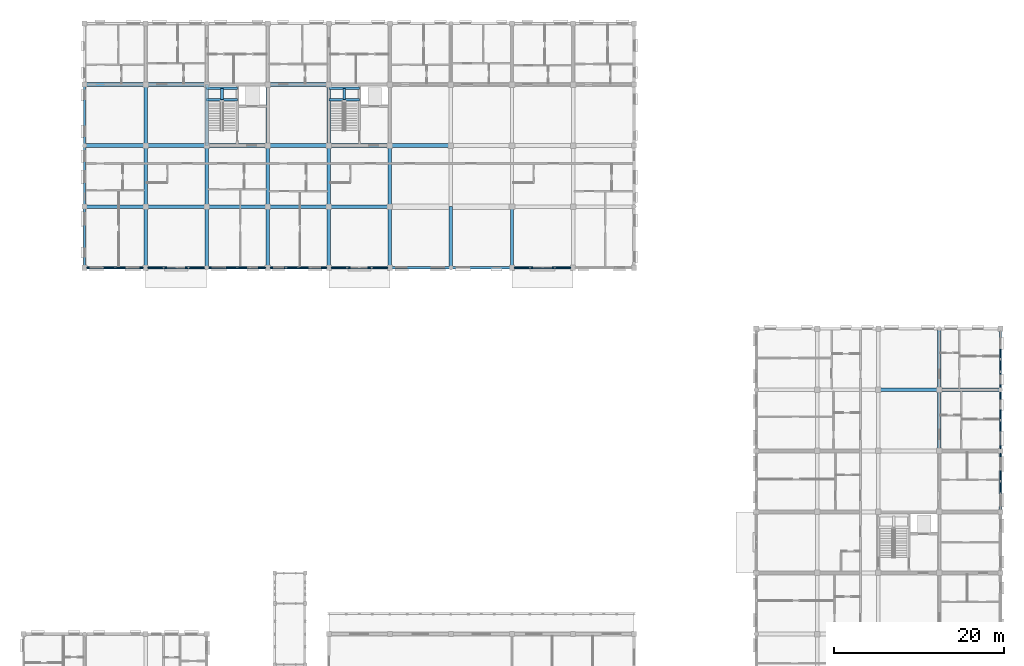
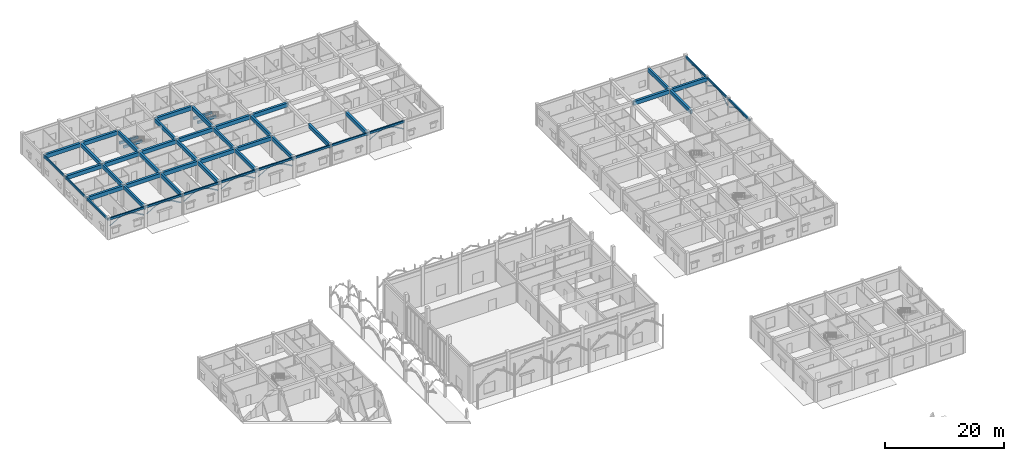
# One storey, part 28 of 138: 54 beams, 34 members.
"""IFC4 building model written with IfcOpenShell, lengths in metres."""

from ifc_helpers import new_model, si_unit, direction, frame, origin, origin_2d, place, context, subcontext, project, spatial, rectangle, hollow_rectangle, extrude, material, material_profile, profile_set, type_object, element, save


model = new_model("IFC4")

# Units and contexts
model_context = context("Model", 3, precision=1e-05, world=origin(), true_north=direction((0.0, 1.0)))
body_context = subcontext(model_context, "Body", "Model", "MODEL_VIEW")
ifc_project = project(units=[si_unit("LENGTHUNIT", "METRE"), si_unit("AREAUNIT", "SQUARE_METRE"), si_unit("VOLUMEUNIT", "CUBIC_METRE"), si_unit("PLANEANGLEUNIT", "RADIAN"), si_unit("MASSUNIT", "GRAM", prefix="KILO"), si_unit("THERMODYNAMICTEMPERATUREUNIT", "KELVIN"), si_unit("POWERUNIT", "WATT")], contexts=[model_context])

# Site, building, storey
site_placement = place(None, origin())
site = spatial("IfcSite", under=ifc_project, at=site_placement, CompositionType="ELEMENT")
building_placement = place(site_placement, origin())
building = spatial("IfcBuilding", under=site, at=building_placement, Name="Tavuni Mirador Residences", CompositionType="ELEMENT")
storey_placement = place(building_placement, origin())
storey = spatial("IfcBuildingStorey", under=building, at=storey_placement, Name="L00", CompositionType="ELEMENT", Elevation=0.0)

# Beams
ifc_material_1 = material(Name="Precast concrete C40/50", Category="concrete")
ifc_material_profile_1 = material_profile(ifc_material_1, rectangle(XDim=0.300048828125, YDim=0.5, at=origin_2d()), Name="PC 300x500", Category="concrete")
ifc_profile_set_1 = profile_set([ifc_material_profile_1], Name="Precast concrete C40/50")
beam_type_1 = type_object("IfcBeamType", Name="BT-B500", PredefinedType="BEAM", material=ifc_profile_set_1)
for number, where, z_axis, x_axis, name in (
    (1, (25.199951171875, 163.820068359375, 1.820068359375), (1.0, 0.0, 0.0), (0.0, 1.0, 0.0), "HLB1-C5-L00"),
    (2, (25.199951171875, 165.14990234375, 1.820068359375), (1.0, 0.0, 0.0), (0.0, 1.0, 0.0), "HLB2-C5-L00"),
):
    element("IfcBeam", number, at=place(storey_placement, frame(where, z_axis=z_axis, x_axis=x_axis)), inside=storey, type_object=beam_type_1, Name=name, PredefinedType="BEAM", context=body_context, shape_type="SweptSolid", body=[
        extrude(rectangle(XDim=0.300048828125, YDim=0.5, at=origin_2d()), origin(), (0.0, 0.0, 1.0), 3.60009765625),
    ])
beam_1_placement = place(storey_placement, frame((27.0, 163.820068359375, 1.820068359375), z_axis=(0.0, 1.0, 0.0), x_axis=(-1.0, 0.0, 0.0)))
element("IfcBeam", 3, at=beam_1_placement, inside=storey, type_object=beam_type_1, Name="HLB3-C5-L00", PredefinedType="BEAM", context=body_context, shape_type="SweptSolid", body=[
    extrude(rectangle(XDim=0.300048828125, YDim=0.5, at=origin_2d()), origin(), (0.0, 0.0, 1.0), 1.329833984375),
])
for number, where, z_axis, x_axis, name in (
    (4, (39.60009765625, 163.820068359375, 1.820068359375), (1.0, 0.0, 0.0), (0.0, 1.0, 0.0), "HLB1-C6-L00"),
    (5, (39.60009765625, 165.14990234375, 1.820068359375), (1.0, 0.0, 0.0), (0.0, 1.0, 0.0), "HLB2-C6-L00"),
):
    element("IfcBeam", number, at=place(storey_placement, frame(where, z_axis=z_axis, x_axis=x_axis)), inside=storey, type_object=beam_type_1, Name=name, PredefinedType="BEAM", context=body_context, shape_type="SweptSolid", body=[
        extrude(rectangle(XDim=0.300048828125, YDim=0.5, at=origin_2d()), origin(), (0.0, 0.0, 1.0), 3.599853515625),
    ])
beam_2_placement = place(storey_placement, frame((41.39990234375, 163.820068359375, 1.820068359375), z_axis=(0.0, 1.0, 0.0), x_axis=(-1.0, 0.0, 0.0)))
element("IfcBeam", 6, at=beam_2_placement, inside=storey, type_object=beam_type_1, Name="HLB3-C6-L00", PredefinedType="BEAM", context=body_context, shape_type="SweptSolid", body=[
    extrude(rectangle(XDim=0.300048828125, YDim=0.5, at=origin_2d()), origin(), (0.0, 0.0, 1.0), 1.329833984375),
])
ifc_material_profile_2 = material_profile(ifc_material_1, rectangle(XDim=0.39990234375, YDim=0.75, at=origin_2d()), Name="RC 400x750", Category="concrete")
ifc_profile_set_2 = profile_set([ifc_material_profile_2], Name="Precast concrete C40/50")
beam_type_2 = type_object("IfcBeamType", Name="BT-G750", PredefinedType="USERDEFINED", material=ifc_profile_set_2)
for number, where, z_axis, x_axis, name in (
    (7, (18.0, 144.0, 3.860107421875), (0.0, 1.0, 0.0), (-1.0, 0.0, 0.0), "BMY-BLK-C-L00-01-00"),
    (8, (18.0, 151.199951171875, 3.860107421875), (0.0, 1.0, 0.0), (-1.0, 0.0, 0.0), "BMY-BLK-C-L00-01-01"),
):
    element("IfcBeam", number, at=place(storey_placement, frame(where, z_axis=z_axis, x_axis=x_axis)), inside=storey, type_object=beam_type_2, Name=name, ObjectType="GIRDER", PredefinedType="USERDEFINED", context=body_context, shape_type="SweptSolid", body=[
        extrude(rectangle(XDim=0.39990234375, YDim=0.75, at=origin_2d()), origin(), (0.0, 0.0, 1.0), 7.199951171875),
    ])
beam_3_placement = place(storey_placement, frame((18.0, 158.39990234375, 3.860107421875), z_axis=(0.0, 1.0, 0.0), x_axis=(-1.0, 0.0, 0.0)))
element("IfcBeam", 9, at=beam_3_placement, inside=storey, type_object=beam_type_2, Name="BMY-BLK-C-L00-01-02", ObjectType="GIRDER", PredefinedType="USERDEFINED", context=body_context, shape_type="SweptSolid", body=[
    extrude(rectangle(XDim=0.39990234375, YDim=0.75, at=origin_2d()), origin(), (0.0, 0.0, 1.0), 7.2001953125),
])
for number, where, z_axis, x_axis, name in (
    (10, (25.199951171875, 144.0, 3.860107421875), (0.0, 1.0, 0.0), (-1.0, 0.0, 0.0), "BMY-BLK-C-L00-02-00"),
    (11, (25.199951171875, 151.199951171875, 3.860107421875), (0.0, 1.0, 0.0), (-1.0, 0.0, 0.0), "BMY-BLK-C-L00-02-01"),
):
    element("IfcBeam", number, at=place(storey_placement, frame(where, z_axis=z_axis, x_axis=x_axis)), inside=storey, type_object=beam_type_2, Name=name, ObjectType="GIRDER", PredefinedType="USERDEFINED", context=body_context, shape_type="SweptSolid", body=[
        extrude(rectangle(XDim=0.39990234375, YDim=0.75, at=origin_2d()), origin(), (0.0, 0.0, 1.0), 7.199951171875),
    ])
beam_4_placement = place(storey_placement, frame((25.199951171875, 158.39990234375, 3.860107421875), z_axis=(0.0, 1.0, 0.0), x_axis=(-1.0, 0.0, 0.0)))
element("IfcBeam", 12, at=beam_4_placement, inside=storey, type_object=beam_type_2, Name="BMY-BLK-C-L00-02-02", ObjectType="GIRDER", PredefinedType="USERDEFINED", context=body_context, shape_type="SweptSolid", body=[
    extrude(rectangle(XDim=0.39990234375, YDim=0.75, at=origin_2d()), origin(), (0.0, 0.0, 1.0), 7.2001953125),
])
for number, where, z_axis, x_axis, name in (
    (13, (32.39990234375, 144.0, 3.860107421875), (0.0, 1.0, 0.0), (-1.0, 0.0, 0.0), "BMY-BLK-C-L00-03-00"),
    (14, (32.39990234375, 151.199951171875, 3.860107421875), (0.0, 1.0, 0.0), (-1.0, 0.0, 0.0), "BMY-BLK-C-L00-03-01"),
):
    element("IfcBeam", number, at=place(storey_placement, frame(where, z_axis=z_axis, x_axis=x_axis)), inside=storey, type_object=beam_type_2, Name=name, ObjectType="GIRDER", PredefinedType="USERDEFINED", context=body_context, shape_type="SweptSolid", body=[
        extrude(rectangle(XDim=0.39990234375, YDim=0.75, at=origin_2d()), origin(), (0.0, 0.0, 1.0), 7.199951171875),
    ])
beam_5_placement = place(storey_placement, frame((32.39990234375, 158.39990234375, 3.860107421875), z_axis=(0.0, 1.0, 0.0), x_axis=(-1.0, 0.0, 0.0)))
element("IfcBeam", 15, at=beam_5_placement, inside=storey, type_object=beam_type_2, Name="BMY-BLK-C-L00-03-02", ObjectType="GIRDER", PredefinedType="USERDEFINED", context=body_context, shape_type="SweptSolid", body=[
    extrude(rectangle(XDim=0.39990234375, YDim=0.75, at=origin_2d()), origin(), (0.0, 0.0, 1.0), 7.2001953125),
])
for number, where, z_axis, x_axis, name in (
    (16, (39.60009765625, 144.0, 3.860107421875), (0.0, 1.0, 0.0), (-1.0, 0.0, 0.0), "BMY-BLK-C-L00-04-00"),
    (17, (39.60009765625, 151.199951171875, 3.860107421875), (0.0, 1.0, 0.0), (-1.0, 0.0, 0.0), "BMY-BLK-C-L00-04-01"),
):
    element("IfcBeam", number, at=place(storey_placement, frame(where, z_axis=z_axis, x_axis=x_axis)), inside=storey, type_object=beam_type_2, Name=name, ObjectType="GIRDER", PredefinedType="USERDEFINED", context=body_context, shape_type="SweptSolid", body=[
        extrude(rectangle(XDim=0.39990234375, YDim=0.75, at=origin_2d()), origin(), (0.0, 0.0, 1.0), 7.199951171875),
    ])
beam_6_placement = place(storey_placement, frame((39.60009765625, 158.39990234375, 3.860107421875), z_axis=(0.0, 1.0, 0.0), x_axis=(-1.0, 0.0, 0.0)))
element("IfcBeam", 18, at=beam_6_placement, inside=storey, type_object=beam_type_2, Name="BMY-BLK-C-L00-04-02", ObjectType="GIRDER", PredefinedType="USERDEFINED", context=body_context, shape_type="SweptSolid", body=[
    extrude(rectangle(XDim=0.39990234375, YDim=0.75, at=origin_2d()), origin(), (0.0, 0.0, 1.0), 7.2001953125),
])
for number, where, z_axis, x_axis, name in (
    (19, (46.800048828125, 144.0, 3.860107421875), (0.0, 1.0, 0.0), (-1.0, 0.0, 0.0), "BMY-BLK-C-L00-05-00"),
    (20, (46.800048828125, 151.199951171875, 3.860107421875), (0.0, 1.0, 0.0), (-1.0, 0.0, 0.0), "BMY-BLK-C-L00-05-01"),
    (21, (54.0, 144.0, 3.860107421875), (0.0, 1.0, 0.0), (-1.0, 0.0, 0.0), "BMY-BLK-C-L00-06-00"),
    (22, (61.199951171875, 144.0, 3.860107421875), (0.0, 1.0, 0.0), (-1.0, 0.0, 0.0), "BMY-BLK-C-L00-07-00"),
):
    element("IfcBeam", number, at=place(storey_placement, frame(where, z_axis=z_axis, x_axis=x_axis)), inside=storey, type_object=beam_type_2, Name=name, ObjectType="GIRDER", PredefinedType="USERDEFINED", context=body_context, shape_type="SweptSolid", body=[
        extrude(rectangle(XDim=0.39990234375, YDim=0.75, at=origin_2d()), origin(), (0.0, 0.0, 1.0), 7.199951171875),
    ])
beam_7_placement = place(storey_placement, frame((111.60009765625, 122.39990234375, 3.864990234375), z_axis=(0.0, 1.0, 0.0), x_axis=(-1.0, 0.0, 0.0)))
element("IfcBeam", 23, at=beam_7_placement, inside=storey, type_object=beam_type_2, Name="BMY-BLK-D-L00-03-05", ObjectType="GIRDER", PredefinedType="USERDEFINED", context=body_context, shape_type="SweptSolid", body=[
    extrude(rectangle(XDim=0.39990234375, YDim=0.75, at=origin_2d()), origin(), (0.0, 0.0, 1.0), 7.2001953125),
])
beam_8_placement = place(storey_placement, frame((111.60009765625, 129.60009765625, 3.864990234375), z_axis=(0.0, 1.0, 0.0), x_axis=(-1.0, 0.0, 0.0)))
element("IfcBeam", 24, at=beam_8_placement, inside=storey, type_object=beam_type_2, Name="BMY-BLK-D-L00-03-06", ObjectType="GIRDER", PredefinedType="USERDEFINED", context=body_context, shape_type="SweptSolid", body=[
    extrude(rectangle(XDim=0.39990234375, YDim=0.75, at=origin_2d()), origin(), (0.0, 0.0, 1.0), 7.199951171875),
])
ifc_material_profile_3 = material_profile(ifc_material_1, rectangle(XDim=0.449951171875, YDim=0.800048828125, at=origin_2d()), Name="RC 450x800", Category="concrete")
ifc_profile_set_3 = profile_set([ifc_material_profile_3], Name="Precast concrete C40/50")
beam_type_3 = type_object("IfcBeamType", Name="BT-G800", PredefinedType="USERDEFINED", material=ifc_profile_set_3)
for number, where, z_axis, x_axis, name in (
    (25, (10.800048828125, 151.199951171875, 3.8349609375), (1.0, 0.0, 0.0), (0.0, 1.0, 0.0), "BMX-BLK-C-L00-00-01"),
    (26, (18.0, 151.199951171875, 3.8349609375), (1.0, 0.0, 0.0), (0.0, 1.0, 0.0), "BMX-BLK-C-L00-01-01"),
    (27, (25.199951171875, 151.199951171875, 3.8349609375), (1.0, 0.0, 0.0), (0.0, 1.0, 0.0), "BMX-BLK-C-L00-02-01"),
):
    element("IfcBeam", number, at=place(storey_placement, frame(where, z_axis=z_axis, x_axis=x_axis)), inside=storey, type_object=beam_type_3, Name=name, ObjectType="GIRDER", PredefinedType="USERDEFINED", context=body_context, shape_type="SweptSolid", body=[
        extrude(rectangle(XDim=0.449951171875, YDim=0.800048828125, at=origin_2d()), origin(), (0.0, 0.0, 1.0), 7.199951171875),
    ])
beam_9_placement = place(storey_placement, frame((32.39990234375, 151.199951171875, 3.8349609375), z_axis=(1.0, 0.0, 0.0), x_axis=(0.0, 1.0, 0.0)))
element("IfcBeam", 28, at=beam_9_placement, inside=storey, type_object=beam_type_3, Name="BMX-BLK-C-L00-03-01", ObjectType="GIRDER", PredefinedType="USERDEFINED", context=body_context, shape_type="SweptSolid", body=[
    extrude(rectangle(XDim=0.449951171875, YDim=0.800048828125, at=origin_2d()), origin(), (0.0, 0.0, 1.0), 7.2001953125),
])
for number, where, z_axis, x_axis, name in (
    (29, (39.60009765625, 151.199951171875, 3.8349609375), (1.0, 0.0, 0.0), (0.0, 1.0, 0.0), "BMX-BLK-C-L00-04-01"),
    (30, (10.800048828125, 158.39990234375, 3.8349609375), (1.0, 0.0, 0.0), (0.0, 1.0, 0.0), "BMX-BLK-C-L00-00-02"),
    (31, (18.0, 158.39990234375, 3.8349609375), (1.0, 0.0, 0.0), (0.0, 1.0, 0.0), "BMX-BLK-C-L00-01-02"),
    (32, (25.199951171875, 158.39990234375, 3.8349609375), (1.0, 0.0, 0.0), (0.0, 1.0, 0.0), "BMX-BLK-C-L00-02-02"),
):
    element("IfcBeam", number, at=place(storey_placement, frame(where, z_axis=z_axis, x_axis=x_axis)), inside=storey, type_object=beam_type_3, Name=name, ObjectType="GIRDER", PredefinedType="USERDEFINED", context=body_context, shape_type="SweptSolid", body=[
        extrude(rectangle(XDim=0.449951171875, YDim=0.800048828125, at=origin_2d()), origin(), (0.0, 0.0, 1.0), 7.199951171875),
    ])
beam_10_placement = place(storey_placement, frame((32.39990234375, 158.39990234375, 3.8349609375), z_axis=(1.0, 0.0, 0.0), x_axis=(0.0, 1.0, 0.0)))
element("IfcBeam", 33, at=beam_10_placement, inside=storey, type_object=beam_type_3, Name="BMX-BLK-C-L00-03-02", ObjectType="GIRDER", PredefinedType="USERDEFINED", context=body_context, shape_type="SweptSolid", body=[
    extrude(rectangle(XDim=0.449951171875, YDim=0.800048828125, at=origin_2d()), origin(), (0.0, 0.0, 1.0), 7.2001953125),
])
for number, where, z_axis, x_axis, name in (
    (34, (39.60009765625, 158.39990234375, 3.8349609375), (1.0, 0.0, 0.0), (0.0, 1.0, 0.0), "BMX-BLK-C-L00-04-02"),
    (35, (46.800048828125, 158.39990234375, 3.8349609375), (1.0, 0.0, 0.0), (0.0, 1.0, 0.0), "BMX-BLK-C-L00-05-02"),
    (36, (10.800048828125, 165.60009765625, 3.8349609375), (1.0, 0.0, 0.0), (0.0, 1.0, 0.0), "BMX-BLK-C-L00-00-03"),
    (37, (18.0, 165.60009765625, 3.8349609375), (1.0, 0.0, 0.0), (0.0, 1.0, 0.0), "BMX-BLK-C-L00-01-03"),
):
    element("IfcBeam", number, at=place(storey_placement, frame(where, z_axis=z_axis, x_axis=x_axis)), inside=storey, type_object=beam_type_3, Name=name, ObjectType="GIRDER", PredefinedType="USERDEFINED", context=body_context, shape_type="SweptSolid", body=[
        extrude(rectangle(XDim=0.449951171875, YDim=0.800048828125, at=origin_2d()), origin(), (0.0, 0.0, 1.0), 7.199951171875),
    ])
for number, where, z_axis, x_axis, name in (
    (38, (32.39990234375, 165.60009765625, 3.8349609375), (1.0, 0.0, 0.0), (0.0, 1.0, 0.0), "BMX-BLK-C-L00-03-03"),
    (39, (104.39990234375, 129.60009765625, 3.840087890625), (1.0, 0.0, 0.0), (0.0, 1.0, 0.0), "BMX-BLK-D-L00-02-06"),
):
    element("IfcBeam", number, at=place(storey_placement, frame(where, z_axis=z_axis, x_axis=x_axis)), inside=storey, type_object=beam_type_3, Name=name, ObjectType="GIRDER", PredefinedType="USERDEFINED", context=body_context, shape_type="SweptSolid", body=[
        extrude(rectangle(XDim=0.449951171875, YDim=0.800048828125, at=origin_2d()), origin(), (0.0, 0.0, 1.0), 7.2001953125),
    ])
beam_11_placement = place(storey_placement, frame((111.60009765625, 129.60009765625, 3.840087890625), z_axis=(1.0, 0.0, 0.0), x_axis=(0.0, 1.0, 0.0)))
element("IfcBeam", 40, at=beam_11_placement, inside=storey, type_object=beam_type_3, Name="BMX-BLK-D-L00-03-06", ObjectType="GIRDER", PredefinedType="USERDEFINED", context=body_context, shape_type="SweptSolid", body=[
    extrude(rectangle(XDim=0.449951171875, YDim=0.800048828125, at=origin_2d()), origin(), (0.0, 0.0, 1.0), 7.199951171875),
])
ifc_material_profile_4 = material_profile(ifc_material_1, rectangle(XDim=0.25, YDim=0.419921875, at=origin_2d()), Name="PC 250x420", Category="concrete")
ifc_profile_set_4 = profile_set([ifc_material_profile_4], Name="Precast concrete C40/50")
beam_type_4 = type_object("IfcBeamType", Name="BT-SP420", PredefinedType="SPANDREL", material=ifc_profile_set_4)
for number, where, z_axis, x_axis, name in (
    (41, (10.800048828125, 144.0, 4.02490234375), (1.0, 0.0, 0.0), (0.0, 1.0, 0.0), "BMX-BLK-C-L00-00-00"),
    (42, (18.0, 144.0, 4.02490234375), (1.0, 0.0, 0.0), (0.0, 1.0, 0.0), "BMX-BLK-C-L00-01-00"),
    (43, (25.199951171875, 144.0, 4.02490234375), (1.0, 0.0, 0.0), (0.0, 1.0, 0.0), "BMX-BLK-C-L00-02-00"),
):
    element("IfcBeam", number, at=place(storey_placement, frame(where, z_axis=z_axis, x_axis=x_axis)), inside=storey, type_object=beam_type_4, Name=name, PredefinedType="SPANDREL", context=body_context, shape_type="SweptSolid", body=[
        extrude(rectangle(XDim=0.25, YDim=0.419921875, at=origin_2d()), origin(), (0.0, 0.0, 1.0), 7.199951171875),
    ])
beam_12_placement = place(storey_placement, frame((32.39990234375, 144.0, 4.02490234375), z_axis=(1.0, 0.0, 0.0), x_axis=(0.0, 1.0, 0.0)))
element("IfcBeam", 44, at=beam_12_placement, inside=storey, type_object=beam_type_4, Name="BMX-BLK-C-L00-03-00", PredefinedType="SPANDREL", context=body_context, shape_type="SweptSolid", body=[
    extrude(rectangle(XDim=0.25, YDim=0.419921875, at=origin_2d()), origin(), (0.0, 0.0, 1.0), 7.2001953125),
])
for number, where, z_axis, x_axis, name in (
    (45, (39.60009765625, 144.0, 4.02490234375), (1.0, 0.0, 0.0), (0.0, 1.0, 0.0), "BMX-BLK-C-L00-04-00"),
    (46, (46.800048828125, 144.0, 4.02490234375), (1.0, 0.0, 0.0), (0.0, 1.0, 0.0), "BMX-BLK-C-L00-05-00"),
    (47, (54.0, 144.0, 4.02490234375), (1.0, 0.0, 0.0), (0.0, 1.0, 0.0), "BMX-BLK-C-L00-06-00"),
    (48, (61.199951171875, 144.0, 4.02490234375), (1.0, 0.0, 0.0), (0.0, 1.0, 0.0), "BMX-BLK-C-L00-07-00"),
    (49, (10.800048828125, 144.0, 4.02490234375), (0.0, 1.0, 0.0), (-1.0, 0.0, 0.0), "BMY-BLK-C-L00-00-00"),
    (50, (10.800048828125, 151.199951171875, 4.02490234375), (0.0, 1.0, 0.0), (-1.0, 0.0, 0.0), "BMY-BLK-C-L00-00-01"),
):
    element("IfcBeam", number, at=place(storey_placement, frame(where, z_axis=z_axis, x_axis=x_axis)), inside=storey, type_object=beam_type_4, Name=name, PredefinedType="SPANDREL", context=body_context, shape_type="SweptSolid", body=[
        extrude(rectangle(XDim=0.25, YDim=0.419921875, at=origin_2d()), origin(), (0.0, 0.0, 1.0), 7.199951171875),
    ])
beam_13_placement = place(storey_placement, frame((10.800048828125, 158.39990234375, 4.02490234375), z_axis=(0.0, 1.0, 0.0), x_axis=(-1.0, 0.0, 0.0)))
element("IfcBeam", 51, at=beam_13_placement, inside=storey, type_object=beam_type_4, Name="BMY-BLK-C-L00-00-02", PredefinedType="SPANDREL", context=body_context, shape_type="SweptSolid", body=[
    extrude(rectangle(XDim=0.25, YDim=0.419921875, at=origin_2d()), origin(), (0.0, 0.0, 1.0), 7.2001953125),
])
beam_14_placement = place(storey_placement, frame((118.800048828125, 115.199951171875, 4.030029296875), z_axis=(0.0, 1.0, 0.0), x_axis=(-1.0, 0.0, 0.0)))
element("IfcBeam", 52, at=beam_14_placement, inside=storey, type_object=beam_type_4, Name="BMY-BLK-D-L00-04-04", PredefinedType="SPANDREL", context=body_context, shape_type="SweptSolid", body=[
    extrude(rectangle(XDim=0.25, YDim=0.419921875, at=origin_2d()), origin(), (0.0, 0.0, 1.0), 7.199951171875),
])
beam_15_placement = place(storey_placement, frame((118.800048828125, 122.39990234375, 4.030029296875), z_axis=(0.0, 1.0, 0.0), x_axis=(-1.0, 0.0, 0.0)))
element("IfcBeam", 53, at=beam_15_placement, inside=storey, type_object=beam_type_4, Name="BMY-BLK-D-L00-04-05", PredefinedType="SPANDREL", context=body_context, shape_type="SweptSolid", body=[
    extrude(rectangle(XDim=0.25, YDim=0.419921875, at=origin_2d()), origin(), (0.0, 0.0, 1.0), 7.2001953125),
])
beam_16_placement = place(storey_placement, frame((118.800048828125, 129.60009765625, 4.030029296875), z_axis=(0.0, 1.0, 0.0), x_axis=(-1.0, 0.0, 0.0)))
element("IfcBeam", 54, at=beam_16_placement, inside=storey, type_object=beam_type_4, Name="BMY-BLK-D-L00-04-06", PredefinedType="SPANDREL", context=body_context, shape_type="SweptSolid", body=[
    extrude(rectangle(XDim=0.25, YDim=0.419921875, at=origin_2d()), origin(), (0.0, 0.0, 1.0), 7.199951171875),
])

# Members
ifc_material_2 = material(Name="Structural steel S355", Category="steel")
ifc_material_profile_5 = material_profile(ifc_material_2, hollow_rectangle(XDim=0.10009765625, YDim=0.14990234375, WallThickness=0.008056640625, at=origin_2d()), Name="RHS 150x100x8.0", Category="steel")
ifc_profile_set_5 = profile_set([ifc_material_profile_5], Name="Structural steel S355")
member_type = type_object("IfcMemberType", Name="MT-BR-RHS150", PredefinedType="BRACE", material=ifc_profile_set_5)
member_1_placement = place(storey_placement, frame((11.10009765625, 144.0, 2.550048828125), z_axis=(0.867013943985, 0.0, 0.498283875853), x_axis=(0.0, 1.0, 0.0)))
element("IfcMember", 55, at=member_1_placement, inside=storey, type_object=member_type, Name="ARCH-BLKC-S-00-H1", PredefinedType="BRACE", context=body_context, shape_type="SweptSolid", body=[
    extrude(hollow_rectangle(XDim=0.10009765625, YDim=0.14990234375, WallThickness=0.008056640625, at=origin_2d()), origin(), (0.0, 0.0, 1.0), 2.13134765625),
])
member_2_placement = place(storey_placement, frame((12.947998046875, 144.0, 3.612060546875), z_axis=(0.961871071438, 0.0, 0.273503275904), x_axis=(0.0, 1.0, 0.0)))
element("IfcMember", 56, at=member_2_placement, inside=storey, type_object=member_type, Name="ARCH-BLKC-S-00-S1", PredefinedType="BRACE", context=body_context, shape_type="SweptSolid", body=[
    extrude(hollow_rectangle(XDim=0.10009765625, YDim=0.14990234375, WallThickness=0.008056640625, at=origin_2d()), origin(), (0.0, 0.0, 1.0), 1.509521484375),
])
member_3_placement = place(storey_placement, frame((14.39990234375, 144.0, 4.02490234375), z_axis=(0.961883167463, 0.0, -0.273460732377), x_axis=(0.0, 1.0, 0.0)))
element("IfcMember", 57, at=member_3_placement, inside=storey, type_object=member_type, Name="ARCH-BLKC-S-00-S2", PredefinedType="BRACE", context=body_context, shape_type="SweptSolid", body=[
    extrude(hollow_rectangle(XDim=0.10009765625, YDim=0.14990234375, WallThickness=0.008056640625, at=origin_2d()), origin(), (0.0, 0.0, 1.0), 1.509765625),
])
for number, where, z_axis, x_axis, name in (
    (58, (15.85205078125, 144.0, 3.612060546875), (0.867013943985, 0.0, -0.498283875853), (0.0, 1.0, 0.0), "ARCH-BLKC-S-00-H2"),
    (59, (18.300048828125, 144.0, 2.550048828125), (0.867013943985, 0.0, 0.498283875853), (0.0, 1.0, 0.0), "ARCH-BLKC-S-01-H1"),
):
    element("IfcMember", number, at=place(storey_placement, frame(where, z_axis=z_axis, x_axis=x_axis)), inside=storey, type_object=member_type, Name=name, PredefinedType="BRACE", context=body_context, shape_type="SweptSolid", body=[
        extrude(hollow_rectangle(XDim=0.10009765625, YDim=0.14990234375, WallThickness=0.008056640625, at=origin_2d()), origin(), (0.0, 0.0, 1.0), 2.13134765625),
    ])
member_4_placement = place(storey_placement, frame((20.14794921875, 144.0, 3.612060546875), z_axis=(0.961883167463, 0.0, 0.273460732377), x_axis=(0.0, 1.0, 0.0)))
element("IfcMember", 60, at=member_4_placement, inside=storey, type_object=member_type, Name="ARCH-BLKC-S-01-S1", PredefinedType="BRACE", context=body_context, shape_type="SweptSolid", body=[
    extrude(hollow_rectangle(XDim=0.10009765625, YDim=0.14990234375, WallThickness=0.008056640625, at=origin_2d()), origin(), (0.0, 0.0, 1.0), 1.509765625),
])
member_5_placement = place(storey_placement, frame((21.60009765625, 144.0, 4.02490234375), z_axis=(0.961871071438, 0.0, -0.273503275904), x_axis=(0.0, 1.0, 0.0)))
element("IfcMember", 61, at=member_5_placement, inside=storey, type_object=member_type, Name="ARCH-BLKC-S-01-S2", PredefinedType="BRACE", context=body_context, shape_type="SweptSolid", body=[
    extrude(hollow_rectangle(XDim=0.10009765625, YDim=0.14990234375, WallThickness=0.008056640625, at=origin_2d()), origin(), (0.0, 0.0, 1.0), 1.509521484375),
])
for number, where, z_axis, x_axis, name in (
    (62, (23.052001953125, 144.0, 3.612060546875), (0.867013943985, 0.0, -0.498283875853), (0.0, 1.0, 0.0), "ARCH-BLKC-S-01-H2"),
    (63, (25.5, 144.0, 2.550048828125), (0.867013943985, 0.0, 0.498283875853), (0.0, 1.0, 0.0), "ARCH-BLKC-S-02-H1"),
):
    element("IfcMember", number, at=place(storey_placement, frame(where, z_axis=z_axis, x_axis=x_axis)), inside=storey, type_object=member_type, Name=name, PredefinedType="BRACE", context=body_context, shape_type="SweptSolid", body=[
        extrude(hollow_rectangle(XDim=0.10009765625, YDim=0.14990234375, WallThickness=0.008056640625, at=origin_2d()), origin(), (0.0, 0.0, 1.0), 2.13134765625),
    ])
member_6_placement = place(storey_placement, frame((27.347900390625, 144.0, 3.612060546875), z_axis=(0.961883167463, 0.0, 0.273460732377), x_axis=(0.0, 1.0, 0.0)))
element("IfcMember", 64, at=member_6_placement, inside=storey, type_object=member_type, Name="ARCH-BLKC-S-02-S1", PredefinedType="BRACE", context=body_context, shape_type="SweptSolid", body=[
    extrude(hollow_rectangle(XDim=0.10009765625, YDim=0.14990234375, WallThickness=0.008056640625, at=origin_2d()), origin(), (0.0, 0.0, 1.0), 1.509765625),
])
member_7_placement = place(storey_placement, frame((28.800048828125, 144.0, 4.02490234375), z_axis=(0.961871071438, 0.0, -0.273503275904), x_axis=(0.0, 1.0, 0.0)))
element("IfcMember", 65, at=member_7_placement, inside=storey, type_object=member_type, Name="ARCH-BLKC-S-02-S2", PredefinedType="BRACE", context=body_context, shape_type="SweptSolid", body=[
    extrude(hollow_rectangle(XDim=0.10009765625, YDim=0.14990234375, WallThickness=0.008056640625, at=origin_2d()), origin(), (0.0, 0.0, 1.0), 1.509521484375),
])
for number, where, z_axis, x_axis, name in (
    (66, (30.251953125, 144.0, 3.612060546875), (0.867042380512, 0.0, -0.498234393029), (0.0, 1.0, 0.0), "ARCH-BLKC-S-02-H2"),
    (67, (32.699951171875, 144.0, 2.550048828125), (0.867042380512, 0.0, 0.498234393029), (0.0, 1.0, 0.0), "ARCH-BLKC-S-03-H1"),
):
    element("IfcMember", number, at=place(storey_placement, frame(where, z_axis=z_axis, x_axis=x_axis)), inside=storey, type_object=member_type, Name=name, PredefinedType="BRACE", context=body_context, shape_type="SweptSolid", body=[
        extrude(hollow_rectangle(XDim=0.10009765625, YDim=0.14990234375, WallThickness=0.008056640625, at=origin_2d()), origin(), (0.0, 0.0, 1.0), 2.131591796875),
    ])
for number, where, z_axis, x_axis, name in (
    (68, (34.548095703125, 144.0, 3.612060546875), (0.961871071438, 0.0, 0.273503275904), (0.0, 1.0, 0.0), "ARCH-BLKC-S-03-S1"),
    (69, (36.0, 144.0, 4.02490234375), (0.961871071438, 0.0, -0.273503275904), (0.0, 1.0, 0.0), "ARCH-BLKC-S-03-S2"),
):
    element("IfcMember", number, at=place(storey_placement, frame(where, z_axis=z_axis, x_axis=x_axis)), inside=storey, type_object=member_type, Name=name, PredefinedType="BRACE", context=body_context, shape_type="SweptSolid", body=[
        extrude(hollow_rectangle(XDim=0.10009765625, YDim=0.14990234375, WallThickness=0.008056640625, at=origin_2d()), origin(), (0.0, 0.0, 1.0), 1.509521484375),
    ])
for number, where, z_axis, x_axis, name in (
    (70, (37.451904296875, 144.0, 3.612060546875), (0.867042380512, 0.0, -0.498234393029), (0.0, 1.0, 0.0), "ARCH-BLKC-S-03-H2"),
    (71, (39.89990234375, 144.0, 2.550048828125), (0.867042380512, 0.0, 0.498234393029), (0.0, 1.0, 0.0), "ARCH-BLKC-S-04-H1"),
):
    element("IfcMember", number, at=place(storey_placement, frame(where, z_axis=z_axis, x_axis=x_axis)), inside=storey, type_object=member_type, Name=name, PredefinedType="BRACE", context=body_context, shape_type="SweptSolid", body=[
        extrude(hollow_rectangle(XDim=0.10009765625, YDim=0.14990234375, WallThickness=0.008056640625, at=origin_2d()), origin(), (0.0, 0.0, 1.0), 2.131591796875),
    ])
member_8_placement = place(storey_placement, frame((41.748046875, 144.0, 3.612060546875), z_axis=(0.961871071438, 0.0, 0.273503275904), x_axis=(0.0, 1.0, 0.0)))
element("IfcMember", 72, at=member_8_placement, inside=storey, type_object=member_type, Name="ARCH-BLKC-S-04-S1", PredefinedType="BRACE", context=body_context, shape_type="SweptSolid", body=[
    extrude(hollow_rectangle(XDim=0.10009765625, YDim=0.14990234375, WallThickness=0.008056640625, at=origin_2d()), origin(), (0.0, 0.0, 1.0), 1.509521484375),
])
member_9_placement = place(storey_placement, frame((43.199951171875, 144.0, 4.02490234375), z_axis=(0.961883167463, 0.0, -0.273460732377), x_axis=(0.0, 1.0, 0.0)))
element("IfcMember", 73, at=member_9_placement, inside=storey, type_object=member_type, Name="ARCH-BLKC-S-04-S2", PredefinedType="BRACE", context=body_context, shape_type="SweptSolid", body=[
    extrude(hollow_rectangle(XDim=0.10009765625, YDim=0.14990234375, WallThickness=0.008056640625, at=origin_2d()), origin(), (0.0, 0.0, 1.0), 1.509765625),
])
for number, where, z_axis, x_axis, name in (
    (74, (44.652099609375, 144.0, 3.612060546875), (0.867013943985, 0.0, -0.498283875853), (0.0, 1.0, 0.0), "ARCH-BLKC-S-04-H2"),
    (75, (61.5, 144.0, 2.550048828125), (0.867013943985, 0.0, 0.498283875853), (0.0, 1.0, 0.0), "ARCH-BLKC-S-06-H1"),
):
    element("IfcMember", number, at=place(storey_placement, frame(where, z_axis=z_axis, x_axis=x_axis)), inside=storey, type_object=member_type, Name=name, PredefinedType="BRACE", context=body_context, shape_type="SweptSolid", body=[
        extrude(hollow_rectangle(XDim=0.10009765625, YDim=0.14990234375, WallThickness=0.008056640625, at=origin_2d()), origin(), (0.0, 0.0, 1.0), 2.13134765625),
    ])
member_10_placement = place(storey_placement, frame((63.347900390625, 144.0, 3.612060546875), z_axis=(0.961883167463, 0.0, 0.273460732377), x_axis=(0.0, 1.0, 0.0)))
element("IfcMember", 76, at=member_10_placement, inside=storey, type_object=member_type, Name="ARCH-BLKC-S-06-S1", PredefinedType="BRACE", context=body_context, shape_type="SweptSolid", body=[
    extrude(hollow_rectangle(XDim=0.10009765625, YDim=0.14990234375, WallThickness=0.008056640625, at=origin_2d()), origin(), (0.0, 0.0, 1.0), 1.509765625),
])
member_11_placement = place(storey_placement, frame((64.800048828125, 144.0, 4.02490234375), z_axis=(0.961871071438, 0.0, -0.273503275904), x_axis=(0.0, 1.0, 0.0)))
element("IfcMember", 77, at=member_11_placement, inside=storey, type_object=member_type, Name="ARCH-BLKC-S-06-S2", PredefinedType="BRACE", context=body_context, shape_type="SweptSolid", body=[
    extrude(hollow_rectangle(XDim=0.10009765625, YDim=0.14990234375, WallThickness=0.008056640625, at=origin_2d()), origin(), (0.0, 0.0, 1.0), 1.509521484375),
])
member_12_placement = place(storey_placement, frame((66.251953125, 144.0, 3.612060546875), z_axis=(0.867042380512, 0.0, -0.498234393029), x_axis=(0.0, 1.0, 0.0)))
element("IfcMember", 78, at=member_12_placement, inside=storey, type_object=member_type, Name="ARCH-BLKC-S-06-H2", PredefinedType="BRACE", context=body_context, shape_type="SweptSolid", body=[
    extrude(hollow_rectangle(XDim=0.10009765625, YDim=0.14990234375, WallThickness=0.008056640625, at=origin_2d()), origin(), (0.0, 0.0, 1.0), 2.131591796875),
])
member_13_placement = place(storey_placement, frame((118.800048828125, 117.347900390625, 3.615478515625), z_axis=(0.0, 0.961584929689, 0.274507600977), x_axis=(-1.0, 0.0, 0.0)))
element("IfcMember", 79, at=member_13_placement, inside=storey, type_object=member_type, Name="ARCH-BLKD-E-04-S1", PredefinedType="BRACE", context=body_context, shape_type="SweptSolid", body=[
    extrude(hollow_rectangle(XDim=0.10009765625, YDim=0.14990234375, WallThickness=0.008056640625, at=origin_2d()), origin(), (0.0, 0.0, 1.0), 1.51025390625),
])
member_14_placement = place(storey_placement, frame((118.800048828125, 118.800048828125, 4.030029296875), z_axis=(0.0, 0.961572744656, -0.274550280886), x_axis=(-1.0, 0.0, 0.0)))
element("IfcMember", 80, at=member_14_placement, inside=storey, type_object=member_type, Name="ARCH-BLKD-E-04-S2", PredefinedType="BRACE", context=body_context, shape_type="SweptSolid", body=[
    extrude(hollow_rectangle(XDim=0.10009765625, YDim=0.14990234375, WallThickness=0.008056640625, at=origin_2d()), origin(), (0.0, 0.0, 1.0), 1.510009765625),
])
for number, where, z_axis, x_axis, name in (
    (81, (118.800048828125, 120.251953125, 3.615478515625), (0.0, 0.866349395397, -0.499438409711), (-1.0, 0.0, 0.0), "ARCH-BLKD-E-04-H2"),
    (82, (118.800048828125, 122.699951171875, 2.550048828125), (0.0, 0.866349395397, 0.499438409711), (-1.0, 0.0, 0.0), "ARCH-BLKD-E-05-H1"),
):
    element("IfcMember", number, at=place(storey_placement, frame(where, z_axis=z_axis, x_axis=x_axis)), inside=storey, type_object=member_type, Name=name, PredefinedType="BRACE", context=body_context, shape_type="SweptSolid", body=[
        extrude(hollow_rectangle(XDim=0.10009765625, YDim=0.14990234375, WallThickness=0.008056640625, at=origin_2d()), origin(), (0.0, 0.0, 1.0), 2.13330078125),
    ])
for number, where, z_axis, x_axis, name in (
    (83, (118.800048828125, 124.548095703125, 3.615478515625), (0.0, 0.961572744656, 0.274550280886), (-1.0, 0.0, 0.0), "ARCH-BLKD-E-05-S1"),
    (84, (118.800048828125, 126.0, 4.030029296875), (0.0, 0.961572744656, -0.274550280886), (-1.0, 0.0, 0.0), "ARCH-BLKD-E-05-S2"),
):
    element("IfcMember", number, at=place(storey_placement, frame(where, z_axis=z_axis, x_axis=x_axis)), inside=storey, type_object=member_type, Name=name, PredefinedType="BRACE", context=body_context, shape_type="SweptSolid", body=[
        extrude(hollow_rectangle(XDim=0.10009765625, YDim=0.14990234375, WallThickness=0.008056640625, at=origin_2d()), origin(), (0.0, 0.0, 1.0), 1.510009765625),
    ])
for number, where, z_axis, x_axis, name in (
    (85, (118.800048828125, 127.451904296875, 3.615478515625), (0.0, 0.866349395397, -0.499438409711), (-1.0, 0.0, 0.0), "ARCH-BLKD-E-05-H2"),
    (86, (118.800048828125, 129.89990234375, 2.550048828125), (0.0, 0.866349395397, 0.499438409711), (-1.0, 0.0, 0.0), "ARCH-BLKD-E-06-H1"),
):
    element("IfcMember", number, at=place(storey_placement, frame(where, z_axis=z_axis, x_axis=x_axis)), inside=storey, type_object=member_type, Name=name, PredefinedType="BRACE", context=body_context, shape_type="SweptSolid", body=[
        extrude(hollow_rectangle(XDim=0.10009765625, YDim=0.14990234375, WallThickness=0.008056640625, at=origin_2d()), origin(), (0.0, 0.0, 1.0), 2.13330078125),
    ])
member_15_placement = place(storey_placement, frame((118.800048828125, 131.748046875, 3.615478515625), z_axis=(0.0, 0.961572744656, 0.274550280886), x_axis=(-1.0, 0.0, 0.0)))
element("IfcMember", 87, at=member_15_placement, inside=storey, type_object=member_type, Name="ARCH-BLKD-E-06-S1", PredefinedType="BRACE", context=body_context, shape_type="SweptSolid", body=[
    extrude(hollow_rectangle(XDim=0.10009765625, YDim=0.14990234375, WallThickness=0.008056640625, at=origin_2d()), origin(), (0.0, 0.0, 1.0), 1.510009765625),
])
member_16_placement = place(storey_placement, frame((118.800048828125, 133.199951171875, 4.030029296875), z_axis=(0.0, 0.961584929689, -0.274507600977), x_axis=(-1.0, 0.0, 0.0)))
element("IfcMember", 88, at=member_16_placement, inside=storey, type_object=member_type, Name="ARCH-BLKD-E-06-S2", PredefinedType="BRACE", context=body_context, shape_type="SweptSolid", body=[
    extrude(hollow_rectangle(XDim=0.10009765625, YDim=0.14990234375, WallThickness=0.008056640625, at=origin_2d()), origin(), (0.0, 0.0, 1.0), 1.51025390625),
])

save(model, "model.ifc")
